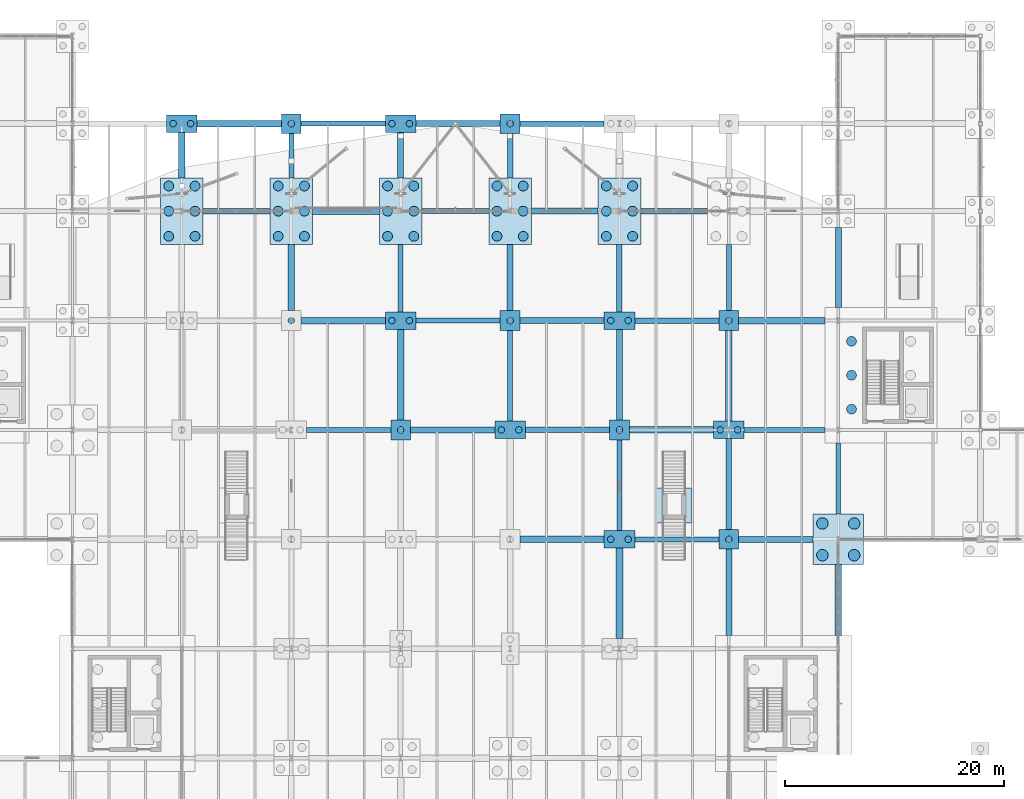
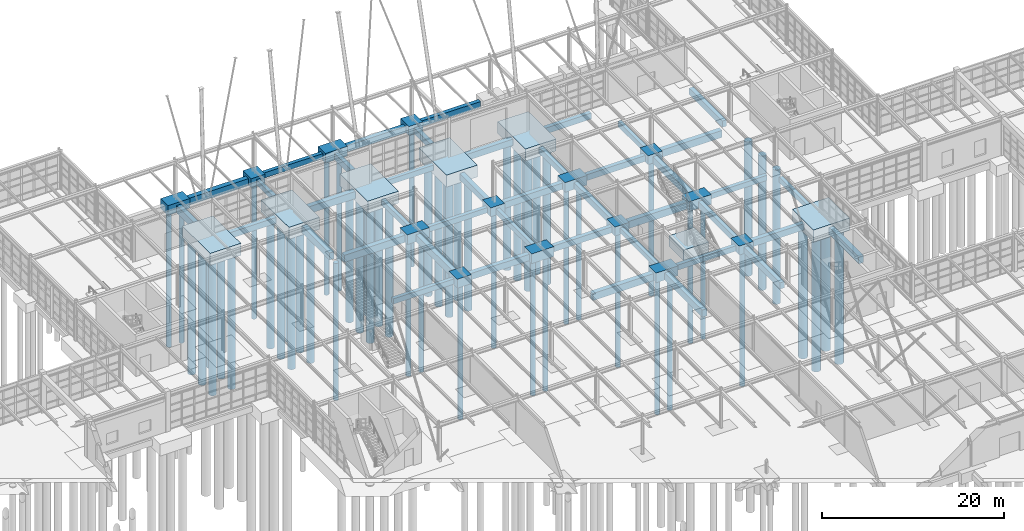
# One storey, part 6 of 145: 63 footings, 59 piles.
"""IFC4 building model written with IfcOpenShell, lengths in metres."""

from ifc_helpers import new_model, si_unit, direction, frame, origin, origin_2d, place, context, subcontext, project, spatial, rectangle, circle, extrude, material, material_profile, profile_set, type_object, element, save


model = new_model("IFC4")

# Units and contexts
model_context = context("Model", 3, precision=1e-05, world=origin(), true_north=direction((0.0, 1.0)))
body_context = subcontext(model_context, "Body", "Model", "MODEL_VIEW")
ifc_project = project(units=[si_unit("LENGTHUNIT", "METRE"), si_unit("AREAUNIT", "SQUARE_METRE"), si_unit("VOLUMEUNIT", "CUBIC_METRE"), si_unit("PLANEANGLEUNIT", "RADIAN"), si_unit("MASSUNIT", "GRAM", prefix="KILO"), si_unit("THERMODYNAMICTEMPERATUREUNIT", "KELVIN"), si_unit("POWERUNIT", "WATT")], contexts=[model_context])

# Site, building, storey
site_placement = place(None, origin())
site = spatial("IfcSite", under=ifc_project, at=site_placement, CompositionType="ELEMENT")
building_placement = place(site_placement, origin())
building = spatial("IfcBuilding", under=site, at=building_placement, Name="Korenveer Ferry Terminal", CompositionType="ELEMENT")
storey_placement = place(building_placement, origin())
storey = spatial("IfcBuildingStorey", under=building, at=storey_placement, Name="L00", CompositionType="ELEMENT", Elevation=0.0)

# Footings
ifc_material_1 = material(Name="Concrete C40/50", Category="concrete")
footing_type_1 = type_object("IfcFootingType", Name="STR-GB-01", PredefinedType="FOOTING_BEAM", material=ifc_material_1)
for number, where, z_axis, x_axis, name in (
    (1, (98.25, 80.0, -1.14990234375), (0.0, 0.0, 1.0), (1.0, 0.0, 0.0), "Ground tie beam 116"),
    (2, (108.25, 90.0, -1.14990234375), (0.0, 0.0, 1.0), (1.0, 0.0, 0.0), "Ground tie beam 128"),
):
    element("IfcFooting", number, at=place(storey_placement, frame(where, z_axis=z_axis, x_axis=x_axis)), inside=storey, type_object=footing_type_1, Name=name, PredefinedType="FOOTING_BEAM", context=body_context, shape_type="SweptSolid", body=[
        extrude(rectangle(XDim=7.699951171875, YDim=0.5, at=origin_2d()), origin(), (0.0, 0.0, 1.0), 0.800048828125),
    ])
for number, where, z_axis, x_axis, name in (
    (3, (68.0, 100.0, -1.14990234375), (0.0, 0.0, 1.0), (1.0, 0.0, 0.0), "Ground tie beam 132"),
    (4, (108.0, 100.0, -1.14990234375), (0.0, 0.0, 1.0), (1.0, 0.0, 0.0), "Ground tie beam 136"),
):
    element("IfcFooting", number, at=place(storey_placement, frame(where, z_axis=z_axis, x_axis=x_axis)), inside=storey, type_object=footing_type_1, Name=name, PredefinedType="FOOTING_BEAM", context=body_context, shape_type="SweptSolid", body=[
        extrude(rectangle(XDim=6.10009765625, YDim=0.5, at=origin_2d()), origin(), (0.0, 0.0, 1.0), 0.800048828125),
    ])
footing_1_placement = place(storey_placement, frame((97.75, 108.0, -1.14990234375), z_axis=(0.0, 0.0, 1.0), x_axis=(1.0, 0.0, 0.0)))
element("IfcFooting", 5, at=footing_1_placement, inside=storey, type_object=footing_type_1, Name="Ground tie beam 144", PredefinedType="FOOTING_BEAM", context=body_context, shape_type="SweptSolid", body=[
    extrude(rectangle(XDim=7.699951171875, YDim=0.5, at=origin_2d()), origin(), (0.0, 0.0, 1.0), 0.800048828125),
])
footing_2_placement = place(storey_placement, frame((93.0, 105.074951171875, -1.14990234375), z_axis=(0.0, 0.0, 1.0), x_axis=(1.0, 0.0, 0.0)))
element("IfcFooting", 6, at=footing_2_placement, inside=storey, type_object=footing_type_1, Name="Ground tie beam 232", PredefinedType="FOOTING_BEAM", context=body_context, shape_type="SweptSolid", body=[
    extrude(rectangle(XDim=0.5, YDim=4.050048828125, at=origin_2d()), origin(), (0.0, 0.0, 1.0), 0.800048828125),
])
footing_3_placement = place(storey_placement, frame((103.0, 93.875, -1.14990234375), z_axis=(0.0, 0.0, 1.0), x_axis=(1.0, 0.0, 0.0)))
element("IfcFooting", 7, at=footing_3_placement, inside=storey, type_object=footing_type_1, Name="Ground tie beam 240", PredefinedType="FOOTING_BEAM", context=body_context, shape_type="SweptSolid", body=[
    extrude(rectangle(XDim=0.5, YDim=6.14990234375, at=origin_2d()), origin(), (0.0, 0.0, 1.0), 0.800048828125),
])
footing_4_placement = place(storey_placement, frame((113.0, 75.050048828125, -1.14990234375), z_axis=(0.0, 0.0, 1.0), x_axis=(1.0, 0.0, 0.0)))
element("IfcFooting", 8, at=footing_4_placement, inside=storey, type_object=footing_type_1, Name="Ground tie beam 248", PredefinedType="FOOTING_BEAM", context=body_context, shape_type="SweptSolid", body=[
    extrude(rectangle(XDim=0.5, YDim=8.300048828125, at=origin_2d()), origin(), (0.0, 0.0, 1.0), 0.800048828125),
])
footing_type_2 = type_object("IfcFootingType", Name="STR-GB-02", PredefinedType="FOOTING_BEAM", material=ifc_material_1)
for number, where, z_axis, x_axis, name in (
    (9, (97.75, 70.0, -1.2998046875), (0.0, 0.0, 1.0), (1.0, 0.0, 0.0), "Ground tie beam 101"),
    (10, (107.75, 80.0, -1.2998046875), (0.0, 0.0, 1.0), (1.0, 0.0, 0.0), "Ground tie beam 117"),
    (11, (77.75, 90.0, -1.2998046875), (0.0, 0.0, 1.0), (1.0, 0.0, 0.0), "Ground tie beam 125"),
):
    element("IfcFooting", number, at=place(storey_placement, frame(where, z_axis=z_axis, x_axis=x_axis)), inside=storey, type_object=footing_type_2, Name=name, PredefinedType="FOOTING_BEAM", context=body_context, shape_type="SweptSolid", body=[
        extrude(rectangle(XDim=7.699951171875, YDim=0.60009765625, at=origin_2d()), origin(), (0.0, 0.0, 1.0), 0.949951171875),
    ])
footing_5_placement = place(storey_placement, frame((117.85009765625, 90.0, -1.2998046875), z_axis=(0.0, 0.0, 1.0), x_axis=(1.0, 0.0, 0.0)))
element("IfcFooting", 12, at=footing_5_placement, inside=storey, type_object=footing_type_2, Name="Ground tie beam 129", PredefinedType="FOOTING_BEAM", context=body_context, shape_type="SweptSolid", body=[
    extrude(rectangle(XDim=7.89990234375, YDim=0.60009765625, at=origin_2d()), origin(), (0.0, 0.0, 1.0), 0.949951171875),
])
footing_6_placement = place(storey_placement, frame((78.0, 100.0, -1.2998046875), z_axis=(0.0, 0.0, 1.0), x_axis=(1.0, 0.0, 0.0)))
element("IfcFooting", 13, at=footing_6_placement, inside=storey, type_object=footing_type_2, Name="Ground tie beam 133", PredefinedType="FOOTING_BEAM", context=body_context, shape_type="SweptSolid", body=[
    extrude(rectangle(XDim=6.10009765625, YDim=0.60009765625, at=origin_2d()), origin(), (0.0, 0.0, 1.0), 0.949951171875),
])
footing_7_placement = place(storey_placement, frame((68.25, 108.0, -1.2998046875), z_axis=(0.0, 0.0, 1.0), x_axis=(1.0, 0.0, 0.0)))
element("IfcFooting", 14, at=footing_7_placement, inside=storey, type_object=footing_type_2, Name="Ground tie beam 141", PredefinedType="FOOTING_BEAM", context=body_context, shape_type="SweptSolid", body=[
    extrude(rectangle(XDim=7.699951171875, YDim=0.60009765625, at=origin_2d()), origin(), (0.0, 0.0, 1.0), 0.949951171875),
])
footing_8_placement = place(storey_placement, frame((63.0, 105.125, -1.2998046875), z_axis=(0.0, 0.0, 1.0), x_axis=(1.0, 0.0, 0.0)))
element("IfcFooting", 15, at=footing_8_placement, inside=storey, type_object=footing_type_2, Name="Ground tie beam 205", PredefinedType="FOOTING_BEAM", context=body_context, shape_type="SweptSolid", body=[
    extrude(rectangle(XDim=0.60009765625, YDim=4.14990234375, at=origin_2d()), origin(), (0.0, 0.0, 1.0), 0.949951171875),
])
footing_9_placement = place(storey_placement, frame((73.0, 93.925048828125, -1.2998046875), z_axis=(0.0, 0.0, 1.0), x_axis=(1.0, 0.0, 0.0)))
element("IfcFooting", 16, at=footing_9_placement, inside=storey, type_object=footing_type_2, Name="Ground tie beam 213", PredefinedType="FOOTING_BEAM", context=body_context, shape_type="SweptSolid", body=[
    extrude(rectangle(XDim=0.60009765625, YDim=6.050048828125, at=origin_2d()), origin(), (0.0, 0.0, 1.0), 0.949951171875),
])
footing_10_placement = place(storey_placement, frame((83.0, 85.050048828125, -1.2998046875), z_axis=(0.0, 0.0, 1.0), x_axis=(1.0, 0.0, 0.0)))
element("IfcFooting", 17, at=footing_10_placement, inside=storey, type_object=footing_type_2, Name="Ground tie beam 221", PredefinedType="FOOTING_BEAM", context=body_context, shape_type="SweptSolid", body=[
    extrude(rectangle(XDim=0.60009765625, YDim=8.300048828125, at=origin_2d()), origin(), (0.0, 0.0, 1.0), 0.949951171875),
])
footing_11_placement = place(storey_placement, frame((103.0, 65.074951171875, -1.2998046875), z_axis=(0.0, 0.0, 1.0), x_axis=(1.0, 0.0, 0.0)))
element("IfcFooting", 18, at=footing_11_placement, inside=storey, type_object=footing_type_2, Name="Ground tie beam 237", PredefinedType="FOOTING_BEAM", context=body_context, shape_type="SweptSolid", body=[
    extrude(rectangle(XDim=0.60009765625, YDim=8.25, at=origin_2d()), origin(), (0.0, 0.0, 1.0), 0.949951171875),
])
footing_12_placement = place(storey_placement, frame((113.0, 84.949951171875, -1.2998046875), z_axis=(0.0, 0.0, 1.0), x_axis=(1.0, 0.0, 0.0)))
element("IfcFooting", 19, at=footing_12_placement, inside=storey, type_object=footing_type_2, Name="Ground tie beam 249", PredefinedType="FOOTING_BEAM", context=body_context, shape_type="SweptSolid", body=[
    extrude(rectangle(XDim=0.60009765625, YDim=8.300048828125, at=origin_2d()), origin(), (0.0, 0.0, 1.0), 0.949951171875),
])
footing_13_placement = place(storey_placement, frame((123.0, 64.449951171875, -1.2998046875), z_axis=(0.0, 0.0, 1.0), x_axis=(1.0, 0.0, 0.0)))
element("IfcFooting", 20, at=footing_13_placement, inside=storey, type_object=footing_type_2, Name="Ground tie beam 257", PredefinedType="FOOTING_BEAM", context=body_context, shape_type="SweptSolid", body=[
    extrude(rectangle(XDim=0.60009765625, YDim=6.5, at=origin_2d()), origin(), (0.0, 0.0, 1.0), 0.949951171875),
])
footing_type_3 = type_object("IfcFootingType", Name="STR-GB-03", PredefinedType="FOOTING_BEAM", material=ifc_material_1)
for number, where, z_axis, x_axis, name in (
    (21, (108.25, 70.0, -1.0498046875), (0.0, 0.0, 1.0), (1.0, 0.0, 0.0), "Ground tie beam 102"),
    (22, (78.25, 80.0, -1.0498046875), (0.0, 0.0, 1.0), (1.0, 0.0, 0.0), "Ground tie beam 114"),
):
    element("IfcFooting", number, at=place(storey_placement, frame(where, z_axis=z_axis, x_axis=x_axis)), inside=storey, type_object=footing_type_3, Name=name, PredefinedType="FOOTING_BEAM", context=body_context, shape_type="SweptSolid", body=[
        extrude(rectangle(XDim=7.699951171875, YDim=0.449951171875, at=origin_2d()), origin(), (0.0, 0.0, 1.0), 0.699951171875),
    ])
footing_14_placement = place(storey_placement, frame((118.10009765625, 80.0, -1.0498046875), z_axis=(0.0, 0.0, 1.0), x_axis=(1.0, 0.0, 0.0)))
element("IfcFooting", 23, at=footing_14_placement, inside=storey, type_object=footing_type_3, Name="Ground tie beam 118", PredefinedType="FOOTING_BEAM", context=body_context, shape_type="SweptSolid", body=[
    extrude(rectangle(XDim=7.39990234375, YDim=0.449951171875, at=origin_2d()), origin(), (0.0, 0.0, 1.0), 0.699951171875),
])
footing_15_placement = place(storey_placement, frame((88.25, 90.0, -1.0498046875), z_axis=(0.0, 0.0, 1.0), x_axis=(1.0, 0.0, 0.0)))
element("IfcFooting", 24, at=footing_15_placement, inside=storey, type_object=footing_type_3, Name="Ground tie beam 126", PredefinedType="FOOTING_BEAM", context=body_context, shape_type="SweptSolid", body=[
    extrude(rectangle(XDim=7.699951171875, YDim=0.449951171875, at=origin_2d()), origin(), (0.0, 0.0, 1.0), 0.699951171875),
])
footing_16_placement = place(storey_placement, frame((88.0, 100.0, -1.0498046875), z_axis=(0.0, 0.0, 1.0), x_axis=(1.0, 0.0, 0.0)))
element("IfcFooting", 25, at=footing_16_placement, inside=storey, type_object=footing_type_3, Name="Ground tie beam 134", PredefinedType="FOOTING_BEAM", context=body_context, shape_type="SweptSolid", body=[
    extrude(rectangle(XDim=6.10009765625, YDim=0.449951171875, at=origin_2d()), origin(), (0.0, 0.0, 1.0), 0.699951171875),
])
footing_17_placement = place(storey_placement, frame((77.75, 108.0, -1.0498046875), z_axis=(0.0, 0.0, 1.0), x_axis=(1.0, 0.0, 0.0)))
element("IfcFooting", 26, at=footing_17_placement, inside=storey, type_object=footing_type_3, Name="Ground tie beam 142", PredefinedType="FOOTING_BEAM", context=body_context, shape_type="SweptSolid", body=[
    extrude(rectangle(XDim=7.699951171875, YDim=0.449951171875, at=origin_2d()), origin(), (0.0, 0.0, 1.0), 0.699951171875),
])
footing_18_placement = place(storey_placement, frame((73.0, 105.074951171875, -1.0498046875), z_axis=(0.0, 0.0, 1.0), x_axis=(1.0, 0.0, 0.0)))
element("IfcFooting", 27, at=footing_18_placement, inside=storey, type_object=footing_type_3, Name="Ground tie beam 214", PredefinedType="FOOTING_BEAM", context=body_context, shape_type="SweptSolid", body=[
    extrude(rectangle(XDim=0.449951171875, YDim=4.050048828125, at=origin_2d()), origin(), (0.0, 0.0, 1.0), 0.699951171875),
])
footing_19_placement = place(storey_placement, frame((83.0, 93.875, -1.0498046875), z_axis=(0.0, 0.0, 1.0), x_axis=(1.0, 0.0, 0.0)))
element("IfcFooting", 28, at=footing_19_placement, inside=storey, type_object=footing_type_3, Name="Ground tie beam 222", PredefinedType="FOOTING_BEAM", context=body_context, shape_type="SweptSolid", body=[
    extrude(rectangle(XDim=0.449951171875, YDim=6.14990234375, at=origin_2d()), origin(), (0.0, 0.0, 1.0), 0.699951171875),
])
for number, where, z_axis, x_axis, name in (
    (29, (93.0, 84.949951171875, -1.0498046875), (0.0, 0.0, 1.0), (1.0, 0.0, 0.0), "Ground tie beam 230"),
    (30, (103.0, 74.949951171875, -1.0498046875), (0.0, 0.0, 1.0), (1.0, 0.0, 0.0), "Ground tie beam 238"),
):
    element("IfcFooting", number, at=place(storey_placement, frame(where, z_axis=z_axis, x_axis=x_axis)), inside=storey, type_object=footing_type_3, Name=name, PredefinedType="FOOTING_BEAM", context=body_context, shape_type="SweptSolid", body=[
        extrude(rectangle(XDim=0.449951171875, YDim=8.300048828125, at=origin_2d()), origin(), (0.0, 0.0, 1.0), 0.699951171875),
    ])
footing_20_placement = place(storey_placement, frame((113.0, 93.925048828125, -1.0498046875), z_axis=(0.0, 0.0, 1.0), x_axis=(1.0, 0.0, 0.0)))
element("IfcFooting", 31, at=footing_20_placement, inside=storey, type_object=footing_type_3, Name="Ground tie beam 250", PredefinedType="FOOTING_BEAM", context=body_context, shape_type="SweptSolid", body=[
    extrude(rectangle(XDim=0.449951171875, YDim=6.050048828125, at=origin_2d()), origin(), (0.0, 0.0, 1.0), 0.699951171875),
])
footing_21_placement = place(storey_placement, frame((123.0, 75.550048828125, -1.0498046875), z_axis=(0.0, 0.0, 1.0), x_axis=(1.0, 0.0, 0.0)))
element("IfcFooting", 32, at=footing_21_placement, inside=storey, type_object=footing_type_3, Name="Ground tie beam 258", PredefinedType="FOOTING_BEAM", context=body_context, shape_type="SweptSolid", body=[
    extrude(rectangle(XDim=0.449951171875, YDim=6.5, at=origin_2d()), origin(), (0.0, 0.0, 1.0), 0.699951171875),
])
footing_type_4 = type_object("IfcFootingType", Name="STR-GB-04", PredefinedType="FOOTING_BEAM", material=ifc_material_1)
footing_22_placement = place(storey_placement, frame((117.300048828125, 70.0, -1.199951171875), z_axis=(0.0, 0.0, 1.0), x_axis=(1.0, 0.0, 0.0)))
element("IfcFooting", 33, at=footing_22_placement, inside=storey, type_object=footing_type_4, Name="Ground tie beam 103", PredefinedType="FOOTING_BEAM", context=body_context, shape_type="SweptSolid", body=[
    extrude(rectangle(XDim=6.800048828125, YDim=0.550048828125, at=origin_2d()), origin(), (0.0, 0.0, 1.0), 0.85009765625),
])
for number, where, z_axis, x_axis, name in (
    (34, (87.75, 80.0, -1.199951171875), (0.0, 0.0, 1.0), (1.0, 0.0, 0.0), "Ground tie beam 115"),
    (35, (97.75, 90.0, -1.199951171875), (0.0, 0.0, 1.0), (1.0, 0.0, 0.0), "Ground tie beam 127"),
):
    element("IfcFooting", number, at=place(storey_placement, frame(where, z_axis=z_axis, x_axis=x_axis)), inside=storey, type_object=footing_type_4, Name=name, PredefinedType="FOOTING_BEAM", context=body_context, shape_type="SweptSolid", body=[
        extrude(rectangle(XDim=7.699951171875, YDim=0.550048828125, at=origin_2d()), origin(), (0.0, 0.0, 1.0), 0.85009765625),
    ])
footing_23_placement = place(storey_placement, frame((98.0, 100.0, -1.199951171875), z_axis=(0.0, 0.0, 1.0), x_axis=(1.0, 0.0, 0.0)))
element("IfcFooting", 36, at=footing_23_placement, inside=storey, type_object=footing_type_4, Name="Ground tie beam 135", PredefinedType="FOOTING_BEAM", context=body_context, shape_type="SweptSolid", body=[
    extrude(rectangle(XDim=6.10009765625, YDim=0.550048828125, at=origin_2d()), origin(), (0.0, 0.0, 1.0), 0.85009765625),
])
footing_24_placement = place(storey_placement, frame((88.25, 108.0, -1.199951171875), z_axis=(0.0, 0.0, 1.0), x_axis=(1.0, 0.0, 0.0)))
element("IfcFooting", 37, at=footing_24_placement, inside=storey, type_object=footing_type_4, Name="Ground tie beam 143", PredefinedType="FOOTING_BEAM", context=body_context, shape_type="SweptSolid", body=[
    extrude(rectangle(XDim=7.699951171875, YDim=0.550048828125, at=origin_2d()), origin(), (0.0, 0.0, 1.0), 0.85009765625),
])
footing_25_placement = place(storey_placement, frame((83.0, 105.125, -1.199951171875), z_axis=(0.0, 0.0, 1.0), x_axis=(1.0, 0.0, 0.0)))
element("IfcFooting", 38, at=footing_25_placement, inside=storey, type_object=footing_type_4, Name="Ground tie beam 223", PredefinedType="FOOTING_BEAM", context=body_context, shape_type="SweptSolid", body=[
    extrude(rectangle(XDim=0.550048828125, YDim=4.14990234375, at=origin_2d()), origin(), (0.0, 0.0, 1.0), 0.85009765625),
])
footing_26_placement = place(storey_placement, frame((93.0, 93.925048828125, -1.199951171875), z_axis=(0.0, 0.0, 1.0), x_axis=(1.0, 0.0, 0.0)))
element("IfcFooting", 39, at=footing_26_placement, inside=storey, type_object=footing_type_4, Name="Ground tie beam 231", PredefinedType="FOOTING_BEAM", context=body_context, shape_type="SweptSolid", body=[
    extrude(rectangle(XDim=0.550048828125, YDim=6.050048828125, at=origin_2d()), origin(), (0.0, 0.0, 1.0), 0.85009765625),
])
footing_27_placement = place(storey_placement, frame((103.0, 85.050048828125, -1.199951171875), z_axis=(0.0, 0.0, 1.0), x_axis=(1.0, 0.0, 0.0)))
element("IfcFooting", 40, at=footing_27_placement, inside=storey, type_object=footing_type_4, Name="Ground tie beam 239", PredefinedType="FOOTING_BEAM", context=body_context, shape_type="SweptSolid", body=[
    extrude(rectangle(XDim=0.550048828125, YDim=8.300048828125, at=origin_2d()), origin(), (0.0, 0.0, 1.0), 0.85009765625),
])
footing_28_placement = place(storey_placement, frame((113.0, 65.14990234375, -1.199951171875), z_axis=(0.0, 0.0, 1.0), x_axis=(1.0, 0.0, 0.0)))
element("IfcFooting", 41, at=footing_28_placement, inside=storey, type_object=footing_type_4, Name="Ground tie beam 247", PredefinedType="FOOTING_BEAM", context=body_context, shape_type="SweptSolid", body=[
    extrude(rectangle(XDim=0.550048828125, YDim=7.89990234375, at=origin_2d()), origin(), (0.0, 0.0, 1.0), 0.85009765625),
])
footing_29_placement = place(storey_placement, frame((123.0, 94.862548828125, -1.199951171875), z_axis=(0.0, 0.0, 1.0), x_axis=(1.0, 0.0, 0.0)))
element("IfcFooting", 42, at=footing_29_placement, inside=storey, type_object=footing_type_4, Name="Ground tie beam 259", PredefinedType="FOOTING_BEAM", context=body_context, shape_type="SweptSolid", body=[
    extrude(rectangle(XDim=0.550048828125, YDim=7.324951171875, at=origin_2d()), origin(), (0.0, 0.0, 1.0), 0.85009765625),
])
ifc_material_2 = material(Name="Concrete C45/55", Category="concrete")
footing_type_5 = type_object("IfcFootingType", Name="STR-PC-01", PredefinedType="PILE_CAP", material=ifc_material_2)
for number, where, z_axis, x_axis, name in (
    (43, (73.0, 108.0, -1.2001953125), (0.0, 0.0, 1.0), (1.0, 0.0, 0.0), "Pile cap PC-01 at (73,108)"),
    (44, (83.0, 80.0, -1.2001953125), (0.0, 0.0, 1.0), (1.0, 0.0, 0.0), "Pile cap PC-01 at (83,80)"),
    (45, (93.0, 90.0, -1.2001953125), (0.0, 0.0, 1.0), (1.0, 0.0, 0.0), "Pile cap PC-01 at (93,90)"),
    (46, (93.0, 108.0, -1.2001953125), (0.0, 0.0, 1.0), (1.0, 0.0, 0.0), "Pile cap PC-01 at (93,108)"),
    (47, (103.0, 80.0, -1.2001953125), (0.0, 0.0, 1.0), (1.0, 0.0, 0.0), "Pile cap PC-01 at (103,80)"),
    (48, (113.0, 70.0, -1.2001953125), (0.0, 0.0, 1.0), (1.0, 0.0, 0.0), "Pile cap PC-01 at (113,70)"),
    (49, (113.0, 90.0, -1.2001953125), (0.0, 0.0, 1.0), (1.0, 0.0, 0.0), "Pile cap PC-01 at (113,90)"),
):
    element("IfcFooting", number, at=place(storey_placement, frame(where, z_axis=z_axis, x_axis=x_axis)), inside=storey, type_object=footing_type_5, Name=name, PredefinedType="PILE_CAP", context=body_context, shape_type="SweptSolid", body=[
        extrude(rectangle(XDim=1.800048828125, YDim=1.800048828125, at=origin_2d()), origin(), (0.0, 0.0, 1.0), 1.199951171875),
    ])
footing_type_6 = type_object("IfcFootingType", Name="STR-PC-02", PredefinedType="PILE_CAP", material=ifc_material_2)
for number, where, z_axis, x_axis, name in (
    (50, (63.0, 108.0, -1.2998046875), (0.0, 0.0, 1.0), (1.0, 0.0, 0.0), "Pile cap PC-02 at (63,108)"),
    (51, (83.0, 90.0, -1.2998046875), (0.0, 0.0, 1.0), (1.0, 0.0, 0.0), "Pile cap PC-02 at (83,90)"),
    (52, (83.0, 108.0, -1.2998046875), (0.0, 0.0, 1.0), (1.0, 0.0, 0.0), "Pile cap PC-02 at (83,108)"),
    (53, (93.0, 80.0, -1.2998046875), (0.0, 0.0, 1.0), (1.0, 0.0, 0.0), "Pile cap PC-02 at (93,80)"),
    (54, (103.0, 70.0, -1.2998046875), (0.0, 0.0, 1.0), (1.0, 0.0, 0.0), "Pile cap PC-02 at (103,70)"),
    (55, (103.0, 90.0, -1.2998046875), (0.0, 0.0, 1.0), (1.0, 0.0, 0.0), "Pile cap PC-02 at (103,90)"),
    (56, (113.0, 80.0, -1.2998046875), (0.0, 0.0, 1.0), (1.0, 0.0, 0.0), "Pile cap PC-02 at (113,80)"),
):
    element("IfcFooting", number, at=place(storey_placement, frame(where, z_axis=z_axis, x_axis=x_axis)), inside=storey, type_object=footing_type_6, Name=name, PredefinedType="PILE_CAP", context=body_context, shape_type="SweptSolid", body=[
        extrude(rectangle(XDim=2.800048828125, YDim=1.60009765625, at=origin_2d()), origin(), (0.0, 0.0, 1.0), 1.300048828125),
    ])
footing_type_7 = type_object("IfcFootingType", Name="STR-PC-06", PredefinedType="PILE_CAP", material=ifc_material_2)
footing_30_placement = place(storey_placement, frame((108.0, 73.10009765625, -1.39990234375), z_axis=(0.0, 0.0, 1.0), x_axis=(1.0, 0.0, 0.0)))
element("IfcFooting", 57, at=footing_30_placement, inside=storey, type_object=footing_type_7, Name="Feature stair landing cap 2", PredefinedType="PILE_CAP", context=body_context, shape_type="SweptSolid", body=[
    extrude(rectangle(XDim=3.199951171875, YDim=3.199951171875, at=origin_2d()), origin(), (0.0, 0.0, 1.0), 1.39990234375),
])
footing_type_8 = type_object("IfcFootingType", Name="STR-PC-14", PredefinedType="PILE_CAP", material=ifc_material_2)
for number, where, z_axis, x_axis, name in (
    (58, (63.0, 100.0, -1.60009765625), (0.0, 0.0, 1.0), (1.0, 0.0, 0.0), "Pile cap PC-14 at (63,100)"),
    (59, (73.0, 100.0, -1.60009765625), (0.0, 0.0, 1.0), (1.0, 0.0, 0.0), "Pile cap PC-14 at (73,100)"),
    (60, (83.0, 100.0, -1.60009765625), (0.0, 0.0, 1.0), (1.0, 0.0, 0.0), "Pile cap PC-14 at (83,100)"),
    (61, (93.0, 100.0, -1.60009765625), (0.0, 0.0, 1.0), (1.0, 0.0, 0.0), "Pile cap PC-14 at (93,100)"),
    (62, (103.0, 100.0, -1.60009765625), (0.0, 0.0, 1.0), (1.0, 0.0, 0.0), "Pile cap PC-14 at (103,100)"),
):
    element("IfcFooting", number, at=place(storey_placement, frame(where, z_axis=z_axis, x_axis=x_axis)), inside=storey, type_object=footing_type_8, Name=name, PredefinedType="PILE_CAP", context=body_context, shape_type="SweptSolid", body=[
        extrude(rectangle(XDim=3.89990234375, YDim=6.10009765625, at=origin_2d()), origin(), (0.0, 0.0, 1.0), 1.60009765625),
    ])
footing_type_9 = type_object("IfcFootingType", Name="STR-PC-15", PredefinedType="PILE_CAP", material=ifc_material_2)
footing_31_placement = place(storey_placement, frame((123.0, 70.0, -1.64990234375), z_axis=(0.0, 0.0, 1.0), x_axis=(1.0, 0.0, 0.0)))
element("IfcFooting", 63, at=footing_31_placement, inside=storey, type_object=footing_type_9, Name="Pile cap PC-15 at (123,70)", PredefinedType="PILE_CAP", context=body_context, shape_type="SweptSolid", body=[
    extrude(rectangle(XDim=4.60009765625, YDim=4.60009765625, at=origin_2d()), origin(), (0.0, 0.0, 1.0), 1.64990234375),
])

# Piles
ifc_material_profile_1 = material_profile(ifc_material_1, circle(Radius=0.52490234375, at=origin_2d()), Name="PILE D1050")
ifc_profile_set_1 = profile_set([ifc_material_profile_1], Name="Concrete C40/50")
pile_type_1 = type_object("IfcPileType", Name="STR-PL-D1050", PredefinedType="BORED", material=ifc_profile_set_1)
for number, where, z_axis, x_axis, name in (
    (64, (121.550048828125, 68.550048828125, -1.550048828125), (0.0, 0.0, -1.0), (1.0, 0.0, 0.0), "Foundation pile 384"),
    (65, (124.449951171875, 68.550048828125, -1.550048828125), (0.0, 0.0, -1.0), (1.0, 0.0, 0.0), "Foundation pile 385"),
    (66, (121.550048828125, 71.449951171875, -1.550048828125), (0.0, 0.0, -1.0), (1.0, 0.0, 0.0), "Foundation pile 386"),
    (67, (124.449951171875, 71.449951171875, -1.550048828125), (0.0, 0.0, -1.0), (1.0, 0.0, 0.0), "Foundation pile 387"),
):
    element("IfcPile", number, at=place(storey_placement, frame(where, z_axis=z_axis, x_axis=x_axis)), inside=storey, type_object=pile_type_1, Name=name, PredefinedType="BORED", context=body_context, shape_type="SweptSolid", body=[
        extrude(circle(Radius=0.52490234375, at=origin_2d()), origin(), (0.0, 0.0, 1.0), 17.949951171875),
    ])
ifc_material_profile_2 = material_profile(ifc_material_1, circle(Radius=0.300048828125, at=origin_2d()), Name="PILE D600")
ifc_profile_set_2 = profile_set([ifc_material_profile_2], Name="Concrete C40/50")
pile_type_2 = type_object("IfcPileType", Name="STR-PL-D600", PredefinedType="DRIVEN", material=ifc_profile_set_2)
for number, where, z_axis, x_axis, name in (
    (68, (62.199951171875, 108.0, -1.199951171875), (0.0, 0.0, -1.0), (1.0, 0.0, 0.0), "Foundation pile 253"),
    (69, (63.800048828125, 108.0, -1.199951171875), (0.0, 0.0, -1.0), (1.0, 0.0, 0.0), "Foundation pile 254"),
):
    element("IfcPile", number, at=place(storey_placement, frame(where, z_axis=z_axis, x_axis=x_axis)), inside=storey, type_object=pile_type_2, Name=name, PredefinedType="DRIVEN", context=body_context, shape_type="SweptSolid", body=[
        extrude(circle(Radius=0.300048828125, at=origin_2d()), origin(), (0.0, 0.0, 1.0), 18.300048828125),
    ])
for number, where, z_axis, x_axis, name in (
    (70, (73.0, 90.0, -1.10009765625), (0.0, 0.0, -1.0), (1.0, 0.0, 0.0), "Foundation pile 270"),
    (71, (73.0, 108.0, -1.10009765625), (0.0, 0.0, -1.0), (1.0, 0.0, 0.0), "Foundation pile 277"),
    (72, (83.0, 80.0, -1.10009765625), (0.0, 0.0, -1.0), (1.0, 0.0, 0.0), "Foundation pile 292"),
):
    element("IfcPile", number, at=place(storey_placement, frame(where, z_axis=z_axis, x_axis=x_axis)), inside=storey, type_object=pile_type_2, Name=name, PredefinedType="DRIVEN", context=body_context, shape_type="SweptSolid", body=[
        extrude(circle(Radius=0.300048828125, at=origin_2d()), origin(), (0.0, 0.0, 1.0), 18.39990234375),
    ])
for number, where, z_axis, x_axis, name in (
    (73, (82.199951171875, 90.0, -1.199951171875), (0.0, 0.0, -1.0), (1.0, 0.0, 0.0), "Foundation pile 293"),
    (74, (83.800048828125, 90.0, -1.199951171875), (0.0, 0.0, -1.0), (1.0, 0.0, 0.0), "Foundation pile 294"),
    (75, (82.199951171875, 108.0, -1.199951171875), (0.0, 0.0, -1.0), (1.0, 0.0, 0.0), "Foundation pile 301"),
    (76, (83.800048828125, 108.0, -1.199951171875), (0.0, 0.0, -1.0), (1.0, 0.0, 0.0), "Foundation pile 302"),
    (77, (92.199951171875, 80.0, -1.199951171875), (0.0, 0.0, -1.0), (1.0, 0.0, 0.0), "Foundation pile 316"),
    (78, (93.800048828125, 80.0, -1.199951171875), (0.0, 0.0, -1.0), (1.0, 0.0, 0.0), "Foundation pile 317"),
):
    element("IfcPile", number, at=place(storey_placement, frame(where, z_axis=z_axis, x_axis=x_axis)), inside=storey, type_object=pile_type_2, Name=name, PredefinedType="DRIVEN", context=body_context, shape_type="SweptSolid", body=[
        extrude(circle(Radius=0.300048828125, at=origin_2d()), origin(), (0.0, 0.0, 1.0), 18.300048828125),
    ])
for number, where, z_axis, x_axis, name in (
    (79, (93.0, 90.0, -1.10009765625), (0.0, 0.0, -1.0), (1.0, 0.0, 0.0), "Foundation pile 318"),
    (80, (93.0, 108.0, -1.10009765625), (0.0, 0.0, -1.0), (1.0, 0.0, 0.0), "Foundation pile 325"),
):
    element("IfcPile", number, at=place(storey_placement, frame(where, z_axis=z_axis, x_axis=x_axis)), inside=storey, type_object=pile_type_2, Name=name, PredefinedType="DRIVEN", context=body_context, shape_type="SweptSolid", body=[
        extrude(circle(Radius=0.300048828125, at=origin_2d()), origin(), (0.0, 0.0, 1.0), 18.39990234375),
    ])
for number, where, z_axis, x_axis, name in (
    (81, (102.199951171875, 70.0, -1.199951171875), (0.0, 0.0, -1.0), (1.0, 0.0, 0.0), "Foundation pile 338"),
    (82, (103.800048828125, 70.0, -1.199951171875), (0.0, 0.0, -1.0), (1.0, 0.0, 0.0), "Foundation pile 339"),
):
    element("IfcPile", number, at=place(storey_placement, frame(where, z_axis=z_axis, x_axis=x_axis)), inside=storey, type_object=pile_type_2, Name=name, PredefinedType="DRIVEN", context=body_context, shape_type="SweptSolid", body=[
        extrude(circle(Radius=0.300048828125, at=origin_2d()), origin(), (0.0, 0.0, 1.0), 18.300048828125),
    ])
pile_1_placement = place(storey_placement, frame((103.0, 80.0, -1.10009765625), z_axis=(0.0, 0.0, -1.0), x_axis=(1.0, 0.0, 0.0)))
element("IfcPile", 83, at=pile_1_placement, inside=storey, type_object=pile_type_2, Name="Foundation pile 340", PredefinedType="DRIVEN", context=body_context, shape_type="SweptSolid", body=[
    extrude(circle(Radius=0.300048828125, at=origin_2d()), origin(), (0.0, 0.0, 1.0), 18.39990234375),
])
for number, where, z_axis, x_axis, name in (
    (84, (102.199951171875, 90.0, -1.199951171875), (0.0, 0.0, -1.0), (1.0, 0.0, 0.0), "Foundation pile 341"),
    (85, (103.800048828125, 90.0, -1.199951171875), (0.0, 0.0, -1.0), (1.0, 0.0, 0.0), "Foundation pile 342"),
):
    element("IfcPile", number, at=place(storey_placement, frame(where, z_axis=z_axis, x_axis=x_axis)), inside=storey, type_object=pile_type_2, Name=name, PredefinedType="DRIVEN", context=body_context, shape_type="SweptSolid", body=[
        extrude(circle(Radius=0.300048828125, at=origin_2d()), origin(), (0.0, 0.0, 1.0), 18.300048828125),
    ])
pile_2_placement = place(storey_placement, frame((113.0, 70.0, -1.10009765625), z_axis=(0.0, 0.0, -1.0), x_axis=(1.0, 0.0, 0.0)))
element("IfcPile", 86, at=pile_2_placement, inside=storey, type_object=pile_type_2, Name="Foundation pile 360", PredefinedType="DRIVEN", context=body_context, shape_type="SweptSolid", body=[
    extrude(circle(Radius=0.300048828125, at=origin_2d()), origin(), (0.0, 0.0, 1.0), 18.39990234375),
])
for number, where, z_axis, x_axis, name in (
    (87, (112.199951171875, 80.0, -1.199951171875), (0.0, 0.0, -1.0), (1.0, 0.0, 0.0), "Foundation pile 361"),
    (88, (113.800048828125, 80.0, -1.199951171875), (0.0, 0.0, -1.0), (1.0, 0.0, 0.0), "Foundation pile 362"),
):
    element("IfcPile", number, at=place(storey_placement, frame(where, z_axis=z_axis, x_axis=x_axis)), inside=storey, type_object=pile_type_2, Name=name, PredefinedType="DRIVEN", context=body_context, shape_type="SweptSolid", body=[
        extrude(circle(Radius=0.300048828125, at=origin_2d()), origin(), (0.0, 0.0, 1.0), 18.300048828125),
    ])
pile_3_placement = place(storey_placement, frame((113.0, 90.0, -1.10009765625), z_axis=(0.0, 0.0, -1.0), x_axis=(1.0, 0.0, 0.0)))
element("IfcPile", 89, at=pile_3_placement, inside=storey, type_object=pile_type_2, Name="Foundation pile 363", PredefinedType="DRIVEN", context=body_context, shape_type="SweptSolid", body=[
    extrude(circle(Radius=0.300048828125, at=origin_2d()), origin(), (0.0, 0.0, 1.0), 18.39990234375),
])
ifc_material_profile_3 = material_profile(ifc_material_1, circle(Radius=0.449951171875, at=origin_2d()), Name="PILE D900")
ifc_profile_set_3 = profile_set([ifc_material_profile_3], Name="Concrete C40/50")
pile_type_3 = type_object("IfcPileType", Name="STR-PL-D900", PredefinedType="BORED", material=ifc_profile_set_3)
for number, where, z_axis, x_axis, name in (
    (90, (124.2099609375, 81.89990234375, -1.5), (0.0, 0.0, -1.0), (1.0, 0.0, 0.0), "Core foundation pile 43"),
    (91, (124.2099609375, 85.0, -1.5), (0.0, 0.0, -1.0), (1.0, 0.0, 0.0), "Core foundation pile 45"),
    (92, (124.2099609375, 88.10009765625, -1.5), (0.0, 0.0, -1.0), (1.0, 0.0, 0.0), "Core foundation pile 47"),
    (93, (61.800048828125, 97.699951171875, -1.5), (0.0, 0.0, -1.0), (1.0, 0.0, 0.0), "Foundation pile 247"),
    (94, (64.199951171875, 97.699951171875, -1.5), (0.0, 0.0, -1.0), (1.0, 0.0, 0.0), "Foundation pile 248"),
    (95, (61.800048828125, 100.0, -1.5), (0.0, 0.0, -1.0), (1.0, 0.0, 0.0), "Foundation pile 249"),
    (96, (64.199951171875, 100.0, -1.5), (0.0, 0.0, -1.0), (1.0, 0.0, 0.0), "Foundation pile 250"),
    (97, (61.800048828125, 102.300048828125, -1.5), (0.0, 0.0, -1.0), (1.0, 0.0, 0.0), "Foundation pile 251"),
    (98, (64.199951171875, 102.300048828125, -1.5), (0.0, 0.0, -1.0), (1.0, 0.0, 0.0), "Foundation pile 252"),
    (99, (71.800048828125, 97.699951171875, -1.5), (0.0, 0.0, -1.0), (1.0, 0.0, 0.0), "Foundation pile 271"),
    (100, (74.199951171875, 97.699951171875, -1.5), (0.0, 0.0, -1.0), (1.0, 0.0, 0.0), "Foundation pile 272"),
    (101, (71.800048828125, 100.0, -1.5), (0.0, 0.0, -1.0), (1.0, 0.0, 0.0), "Foundation pile 273"),
    (102, (74.199951171875, 100.0, -1.5), (0.0, 0.0, -1.0), (1.0, 0.0, 0.0), "Foundation pile 274"),
    (103, (71.800048828125, 102.300048828125, -1.5), (0.0, 0.0, -1.0), (1.0, 0.0, 0.0), "Foundation pile 275"),
    (104, (74.199951171875, 102.300048828125, -1.5), (0.0, 0.0, -1.0), (1.0, 0.0, 0.0), "Foundation pile 276"),
    (105, (81.800048828125, 97.699951171875, -1.5), (0.0, 0.0, -1.0), (1.0, 0.0, 0.0), "Foundation pile 295"),
    (106, (84.199951171875, 97.699951171875, -1.5), (0.0, 0.0, -1.0), (1.0, 0.0, 0.0), "Foundation pile 296"),
    (107, (81.800048828125, 100.0, -1.5), (0.0, 0.0, -1.0), (1.0, 0.0, 0.0), "Foundation pile 297"),
    (108, (84.199951171875, 100.0, -1.5), (0.0, 0.0, -1.0), (1.0, 0.0, 0.0), "Foundation pile 298"),
    (109, (81.800048828125, 102.300048828125, -1.5), (0.0, 0.0, -1.0), (1.0, 0.0, 0.0), "Foundation pile 299"),
    (110, (84.199951171875, 102.300048828125, -1.5), (0.0, 0.0, -1.0), (1.0, 0.0, 0.0), "Foundation pile 300"),
    (111, (91.800048828125, 97.699951171875, -1.5), (0.0, 0.0, -1.0), (1.0, 0.0, 0.0), "Foundation pile 319"),
    (112, (94.199951171875, 97.699951171875, -1.5), (0.0, 0.0, -1.0), (1.0, 0.0, 0.0), "Foundation pile 320"),
    (113, (91.800048828125, 100.0, -1.5), (0.0, 0.0, -1.0), (1.0, 0.0, 0.0), "Foundation pile 321"),
    (114, (94.199951171875, 100.0, -1.5), (0.0, 0.0, -1.0), (1.0, 0.0, 0.0), "Foundation pile 322"),
    (115, (91.800048828125, 102.300048828125, -1.5), (0.0, 0.0, -1.0), (1.0, 0.0, 0.0), "Foundation pile 323"),
    (116, (94.199951171875, 102.300048828125, -1.5), (0.0, 0.0, -1.0), (1.0, 0.0, 0.0), "Foundation pile 324"),
    (117, (101.800048828125, 97.699951171875, -1.5), (0.0, 0.0, -1.0), (1.0, 0.0, 0.0), "Foundation pile 343"),
    (118, (104.199951171875, 97.699951171875, -1.5), (0.0, 0.0, -1.0), (1.0, 0.0, 0.0), "Foundation pile 344"),
    (119, (101.800048828125, 100.0, -1.5), (0.0, 0.0, -1.0), (1.0, 0.0, 0.0), "Foundation pile 345"),
    (120, (104.199951171875, 100.0, -1.5), (0.0, 0.0, -1.0), (1.0, 0.0, 0.0), "Foundation pile 346"),
    (121, (101.800048828125, 102.300048828125, -1.5), (0.0, 0.0, -1.0), (1.0, 0.0, 0.0), "Foundation pile 347"),
    (122, (104.199951171875, 102.300048828125, -1.5), (0.0, 0.0, -1.0), (1.0, 0.0, 0.0), "Foundation pile 348"),
):
    element("IfcPile", number, at=place(storey_placement, frame(where, z_axis=z_axis, x_axis=x_axis)), inside=storey, type_object=pile_type_3, Name=name, PredefinedType="BORED", context=body_context, shape_type="SweptSolid", body=[
        extrude(circle(Radius=0.449951171875, at=origin_2d()), origin(), (0.0, 0.0, 1.0), 18.0),
    ])

save(model, "model.ifc")
